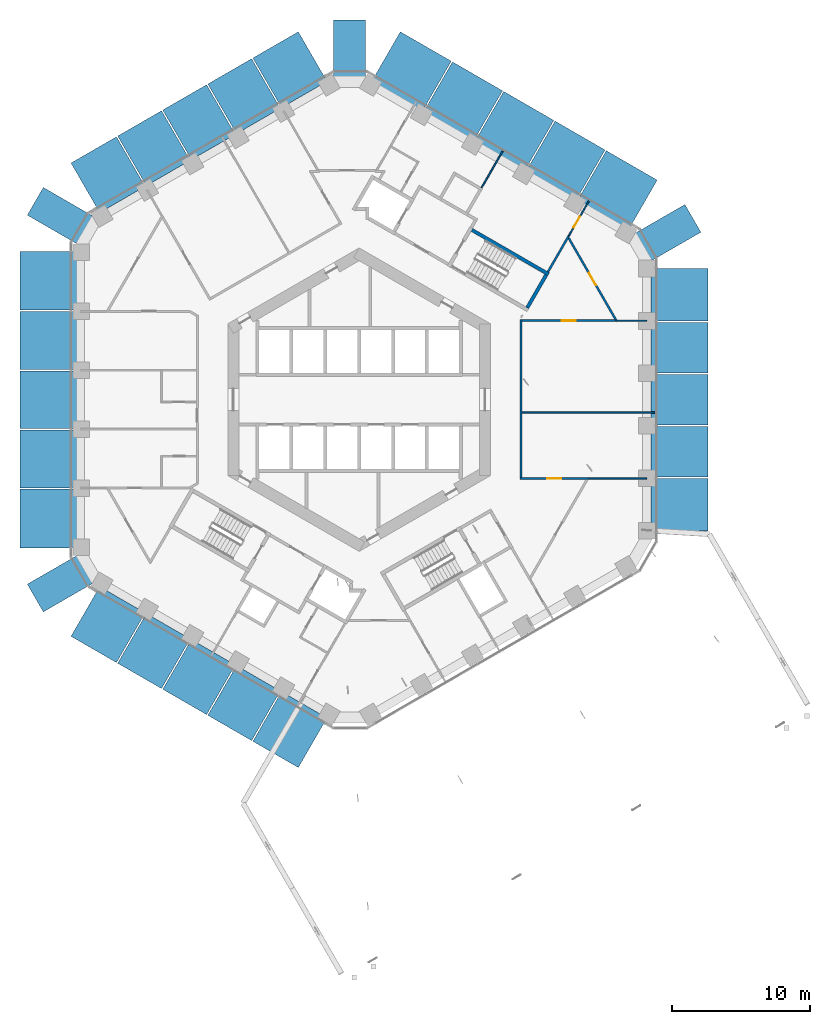
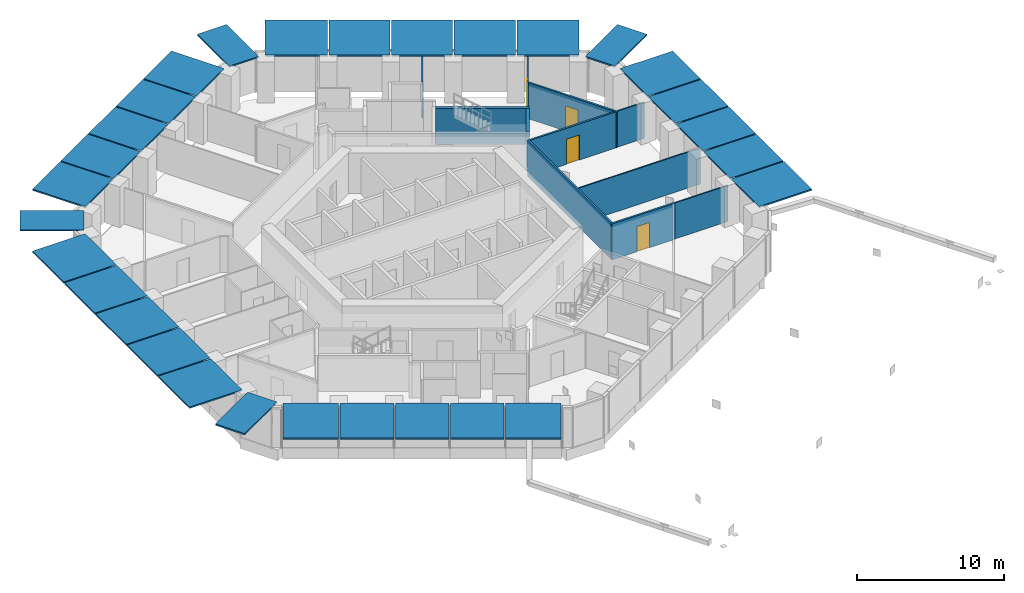
# One storey, part 15 of 22: 29 discrete accessories, 12 walls, 4 doors, 4 openings.
"""IFC4 building model written with IfcOpenShell, lengths in metres."""

from ifc_helpers import new_model, si_unit, direction, frame, frame_2d, origin, origin_2d, place, context, subcontext, project, spatial, rectangle, extrude, material, layer, layer_set, type_object, element, fill, save


model = new_model("IFC4")

# Units and contexts
model_context = context("Model", 3, precision=1e-05, world=origin(), true_north=direction((0.0, 1.0)))
body_context = subcontext(model_context, "Body", "Model", "MODEL_VIEW")
ifc_project = project(units=[si_unit("LENGTHUNIT", "METRE"), si_unit("AREAUNIT", "SQUARE_METRE"), si_unit("VOLUMEUNIT", "CUBIC_METRE"), si_unit("PLANEANGLEUNIT", "RADIAN"), si_unit("MASSUNIT", "GRAM", prefix="KILO")], contexts=[model_context])

# Site, building, storey
site_placement = place(None, origin())
site = spatial("IfcSite", under=ifc_project, at=site_placement, CompositionType="ELEMENT")
building_placement = place(site_placement, origin())
building = spatial("IfcBuilding", under=site, at=building_placement, Name="Ayvan Gate Tower", CompositionType="ELEMENT")
storey_placement = place(building_placement, frame((0.0, 0.0, 62.89990234375)))
storey = spatial("IfcBuildingStorey", under=building, at=storey_placement, Name="L16", CompositionType="ELEMENT", Elevation=62.89990234375)

# Wall, opening, door
ifc_material_1 = material(Name="Plasterboard on steel stud", Category="steel")
ifc_layer_1 = layer(ifc_material_1, 0.14990234375)
ifc_layer_set_1 = layer_set([ifc_layer_1], Name="Plasterboard on steel stud")
wall_type_1 = type_object("IfcWallType", Name="WT-CORR-150", PredefinedType="PARTITIONING", material=ifc_layer_set_1)
wall_1_placement = place(storey_placement, frame((11.625, -5.70849609375, 0.0), z_axis=(0.0, 0.0, 1.0), x_axis=(1.0, 0.0, 0.0)))
wall_1 = element("IfcWall", 1, at=wall_1_placement, inside=storey, type_object=wall_type_1, Name="IW-L16-111", PredefinedType="PARTITIONING", context=body_context, shape_type="SweptSolid", body=[
    extrude(rectangle(XDim=4.9677734375, YDim=0.14990234375, at=frame_2d((2.48388671875, 0.0))), origin(), (0.0, 0.0, 1.0), 3.0),
])
opening_1_placement = place(wall_1_placement, frame((1.966552734375, 0.0, 0.0)))
opening_1 = element("IfcOpeningElement", 2, at=opening_1_placement, cuts=wall_1, Name="Opening L16-D17", PredefinedType="OPENING", context=body_context, shape_type="SweptSolid", body=[
    extrude(rectangle(XDim=1.0, YDim=2.10009765625, at=frame_2d((0.5, 1.050048828125))), frame((0.0, 0.0849609375, 0.0), z_axis=(0.0, -1.0, 0.0), x_axis=(1.0, 0.0, 0.0)), (0.0, 0.0, 1.0), 0.169921875),
])
ifc_material_2 = material(Name="Timber door leaf", Category="wood")
door_type_1 = type_object("IfcDoorType", Name="DT-1000", OperationType="NOTDEFINED", PredefinedType="DOOR", material=ifc_material_2)
door_1_placement = place(opening_1_placement, origin())
door_1 = element("IfcDoor", 3, at=door_1_placement, inside=storey, type_object=door_type_1, Name="ID-L16-017", OperationType="SINGLE_SWING_LEFT", OverallHeight=2.10009765625, OverallWidth=1.0, PredefinedType="DOOR", context=body_context, shape_type="SweptSolid", body=[
    extrude(rectangle(XDim=1.0, YDim=2.10009765625, at=frame_2d((0.5, 1.050048828125))), frame((0.0, 0.02490234375, 0.0), z_axis=(0.0, -1.0, 0.0), x_axis=(1.0, 0.0, 0.0)), (0.0, 0.0, 1.0), 0.050048828125),
])
fill(opening_1, door_1)

# Walls
wall_2_placement = place(storey_placement, frame((11.699951171875, -5.633544921875, 0.0), z_axis=(0.0, 0.0, 1.0), x_axis=(0.0, 1.0, 0.0)))
element("IfcWall", 4, at=wall_2_placement, inside=storey, type_object=wall_type_1, Name="IW-L16-112", PredefinedType="PARTITIONING", context=body_context, shape_type="SweptSolid", body=[
    extrude(rectangle(XDim=11.4169921875, YDim=0.14990234375, at=frame_2d((5.70849609375, 0.0))), origin(), (0.0, 0.0, 1.0), 3.0),
])
wall_3_placement = place(storey_placement, frame((13.647705078125, 9.23876953125, 0.0), z_axis=(0.0, 0.0, 1.0), x_axis=(0.500026865748, 0.866009892282, 0.0)))
element("IfcWall", 5, at=wall_3_placement, inside=storey, type_object=wall_type_1, Name="IW-L16-116", PredefinedType="PARTITIONING", context=body_context, shape_type="SweptSolid", body=[
    extrude(rectangle(XDim=2.985107421875, YDim=0.14990234375, at=frame_2d((1.49267578125, 0.0))), origin(), (0.0, 0.0, 1.0), 3.0),
])

# Wall, opening, door
wall_4_placement = place(storey_placement, frame((15.140380859375, 11.694091796875, 0.0), z_axis=(0.0, 0.0, 1.0), x_axis=(0.500013845068, -0.866017410183, 0.0)))
wall_4 = element("IfcWall", 6, at=wall_4_placement, inside=storey, type_object=wall_type_1, Name="IW-L16-120", PredefinedType="PARTITIONING", context=body_context, shape_type="SweptSolid", body=[
    extrude(rectangle(XDim=6.986572265625, YDim=0.14990234375, at=frame_2d((3.4931640625, 0.0))), origin(), (0.0, 0.0, 1.0), 3.0),
])
opening_2_placement = place(wall_4_placement, frame((2.9384765625, 0.0, 0.0)))
opening_2 = element("IfcOpeningElement", 7, at=opening_2_placement, cuts=wall_4, Name="Opening L16-D19", PredefinedType="OPENING", context=body_context, shape_type="SweptSolid", body=[
    extrude(rectangle(XDim=1.0, YDim=2.10009765625, at=frame_2d((0.5, 1.050048828125))), frame((0.0, 0.0849609375, 0.0), z_axis=(0.0, -1.0, 0.0), x_axis=(1.0, 0.0, 0.0)), (0.0, 0.0, 1.0), 0.169921875),
])
door_2_placement = place(opening_2_placement, origin())
door_2 = element("IfcDoor", 8, at=door_2_placement, inside=storey, type_object=door_type_1, Name="ID-L16-019", OperationType="SINGLE_SWING_LEFT", OverallHeight=2.10009765625, OverallWidth=1.0, PredefinedType="DOOR", context=body_context, shape_type="SweptSolid", body=[
    extrude(rectangle(XDim=1.0, YDim=2.10009765625, at=frame_2d((0.5, 1.050048828125))), frame((0.0, 0.02490234375, 0.0), z_axis=(0.0, -1.0, 0.0), x_axis=(1.0, 0.0, 0.0)), (0.0, 0.0, 1.0), 0.050048828125),
])
fill(opening_2, door_2)

wall_5_placement = place(storey_placement, frame((18.521240234375, 5.70849609375, 0.0), z_axis=(0.0, 0.0, 1.0), x_axis=(-1.0, 0.0, 0.0)))
wall_5 = element("IfcWall", 9, at=wall_5_placement, inside=storey, type_object=wall_type_1, Name="IW-L16-123", PredefinedType="PARTITIONING", context=body_context, shape_type="SweptSolid", body=[
    extrude(rectangle(XDim=6.746337890625, YDim=0.14990234375, at=frame_2d((3.373046875, 0.0))), origin(), (0.0, 0.0, 1.0), 3.0),
])
opening_3_placement = place(wall_5_placement, frame((2.873046875, 0.0, 0.0)))
opening_3 = element("IfcOpeningElement", 10, at=opening_3_placement, cuts=wall_5, Name="Opening L16-D18", PredefinedType="OPENING", context=body_context, shape_type="SweptSolid", body=[
    extrude(rectangle(XDim=1.0, YDim=2.10009765625, at=frame_2d((0.5, 1.050048828125))), frame((0.0, 0.0849609375, 0.0), z_axis=(0.0, -1.0, 0.0), x_axis=(1.0, 0.0, 0.0)), (0.0, 0.0, 1.0), 0.169921875),
])
door_3_placement = place(opening_3_placement, origin())
door_3 = element("IfcDoor", 11, at=door_3_placement, inside=storey, type_object=door_type_1, Name="ID-L16-018", OperationType="SINGLE_SWING_RIGHT", OverallHeight=2.10009765625, OverallWidth=1.0, PredefinedType="DOOR", context=body_context, shape_type="SweptSolid", body=[
    extrude(rectangle(XDim=1.0, YDim=2.10009765625, at=frame_2d((0.5, 1.050048828125))), frame((0.0, 0.02490234375, 0.0), z_axis=(0.0, -1.0, 0.0), x_axis=(1.0, 0.0, 0.0)), (0.0, 0.0, 1.0), 0.050048828125),
])
fill(opening_3, door_3)

# Walls
ifc_layer_2 = layer(ifc_material_1, 0.10009765625)
ifc_layer_set_2 = layer_set([ifc_layer_2], Name="Plasterboard on steel stud")
wall_type_2 = type_object("IfcWallType", Name="WT-PART-100", PredefinedType="PARTITIONING", material=ifc_layer_set_2)
wall_6_placement = place(storey_placement, frame((8.85009765625, 15.32861328125, 0.0), z_axis=(0.0, 0.0, 1.0), x_axis=(0.500015609314, 0.866016391555, 0.0)))
element("IfcWall", 12, at=wall_6_placement, inside=storey, type_object=wall_type_2, Name="IW-L16-104", PredefinedType="PARTITIONING", context=body_context, shape_type="SweptSolid", body=[
    extrude(rectangle(XDim=3.02783203125, YDim=0.10009765625, at=frame_2d((1.513916015625, 0.0))), origin(), (0.0, 0.0, 1.0), 3.0),
])
wall_7_placement = place(storey_placement, frame((11.77490234375, -0.913330078125, 0.0), z_axis=(0.0, 0.0, 1.0), x_axis=(1.0, 0.0, 0.0)))
element("IfcWall", 13, at=wall_7_placement, inside=storey, type_object=wall_type_2, Name="IW-L16-113", PredefinedType="PARTITIONING", context=body_context, shape_type="SweptSolid", body=[
    extrude(rectangle(XDim=9.605712890625, YDim=0.10009765625, at=frame_2d((4.802734375, 0.0))), origin(), (0.0, 0.0, 1.0), 3.0),
])

# Wall, opening, door
wall_8_placement = place(storey_placement, frame((15.140380859375, 11.823974609375, 0.0), z_axis=(0.0, 0.0, 1.0), x_axis=(0.500026652407, 0.866010015463, 0.0)))
wall_8 = element("IfcWall", 14, at=wall_8_placement, inside=storey, type_object=wall_type_2, Name="IW-L16-119", PredefinedType="PARTITIONING", context=body_context, shape_type="SweptSolid", body=[
    extrude(rectangle(XDim=2.917724609375, YDim=0.10009765625, at=frame_2d((1.458984375, 0.0))), origin(), (0.0, 0.0, 1.0), 3.0),
])
opening_4_placement = place(wall_8_placement, frame((0.7109375, 0.0, 0.0)))
opening_4 = element("IfcOpeningElement", 15, at=opening_4_placement, cuts=wall_8, Name="Opening L16-D20", PredefinedType="OPENING", context=body_context, shape_type="SweptSolid", body=[
    extrude(rectangle(XDim=0.89990234375, YDim=2.10009765625, at=frame_2d((0.449951171875, 1.050048828125))), frame((0.0, 0.06005859375, 0.0), z_axis=(0.0, -1.0, 0.0), x_axis=(1.0, 0.0, 0.0)), (0.0, 0.0, 1.0), 0.1201171875),
])
door_type_2 = type_object("IfcDoorType", Name="DT-900", OperationType="NOTDEFINED", PredefinedType="DOOR", material=ifc_material_2)
door_4_placement = place(opening_4_placement, origin())
door_4 = element("IfcDoor", 16, at=door_4_placement, inside=storey, type_object=door_type_2, Name="ID-L16-020", OperationType="SINGLE_SWING_RIGHT", OverallHeight=2.10009765625, OverallWidth=0.89990234375, PredefinedType="DOOR", context=body_context, shape_type="SweptSolid", body=[
    extrude(rectangle(XDim=0.89990234375, YDim=2.10009765625, at=frame_2d((0.449951171875, 1.050048828125))), frame((0.0, 0.02490234375, 0.0), z_axis=(0.0, -1.0, 0.0), x_axis=(1.0, 0.0, 0.0)), (0.0, 0.0, 1.0), 0.050048828125),
])
fill(opening_4, door_4)

# Walls
wall_9_placement = place(storey_placement, frame((18.6708984375, 5.70849609375, 0.0), z_axis=(0.0, 0.0, 1.0), x_axis=(1.0, 0.0, 0.0)))
element("IfcWall", 17, at=wall_9_placement, inside=storey, type_object=wall_type_2, Name="IW-L16-122", PredefinedType="PARTITIONING", context=body_context, shape_type="SweptSolid", body=[
    extrude(rectangle(XDim=2.11376953125, YDim=0.10009765625, at=frame_2d((1.056884765625, 0.0))), origin(), (0.0, 0.0, 1.0), 3.0),
])
wall_10_placement = place(storey_placement, frame((20.78466796875, -5.70849609375, 0.0), z_axis=(0.0, 0.0, 1.0), x_axis=(-1.0, 0.0, 0.0)))
element("IfcWall", 18, at=wall_10_placement, inside=storey, type_object=wall_type_2, Name="IW-L16-124", PredefinedType="PARTITIONING", context=body_context, shape_type="SweptSolid", body=[
    extrude(rectangle(XDim=4.19189453125, YDim=0.10009765625, at=frame_2d((2.095947265625, 0.0))), origin(), (0.0, 0.0, 1.0), 3.0),
])
ifc_material_3 = material(Name="Concrete C50/60", Category="concrete")
ifc_layer_3 = layer(ifc_material_3, 0.25)
ifc_layer_set_3 = layer_set([ifc_layer_3], Name="Concrete C50/60")
wall_type_3 = type_object("IfcWallType", Name="WT-RC-250", PredefinedType="SHEAR", material=ifc_layer_set_3)
wall_11_placement = place(storey_placement, frame((8.151123046875, 12.26806640625, 0.0), z_axis=(0.0, 0.0, 1.0), x_axis=(0.866025499775, -0.499999833739, 0.0)))
element("IfcWall", 19, at=wall_11_placement, inside=storey, type_object=wall_type_3, Name="IW-L16-099", PredefinedType="SHEAR", context=body_context, shape_type="SweptSolid", body=[
    extrude(rectangle(XDim=6.39990234375, YDim=0.25, at=frame_2d((3.199951171875, 0.0))), origin(), (0.0, 0.0, 1.0), 3.0),
])
wall_12_placement = place(storey_placement, frame((13.52294921875, 9.022216796875, 0.0), z_axis=(0.0, 0.0, 1.0), x_axis=(-0.500034990121, -0.866005201286, 0.0)))
element("IfcWall", 20, at=wall_12_placement, inside=storey, type_object=wall_type_3, Name="IW-L16-117", PredefinedType="SHEAR", context=body_context, shape_type="SweptSolid", body=[
    extrude(rectangle(XDim=2.749755859375, YDim=0.25, at=frame_2d((1.375, 0.0))), origin(), (0.0, 0.0, 1.0), 3.0),
])

# Discrete accessories
ifc_material_4 = material(Name="Stainless steel 316", Category="steel")
ifc_layer_4 = layer(ifc_material_4, 0.1201171875)
ifc_layer_set_4 = layer_set([ifc_layer_4], Name="Stainless steel 316")
discrete_accessory_type = type_object("IfcDiscreteAccessoryType", Name="Fin carrier bracket", PredefinedType="BRACKET", material=ifc_layer_set_4)
discrete_accessory_1_placement = place(storey_placement, frame((-22.446533203125, -8.595458984375, 3.280029296875), z_axis=(0.0, 0.0, 1.0), x_axis=(0.0, -1.0, 0.0)))
element("IfcDiscreteAccessory", 21, at=discrete_accessory_1_placement, inside=storey, type_object=discrete_accessory_type, Name="Fin carrier 14", PredefinedType="BRACKET", context=body_context, shape_type="SweptSolid", body=[
    extrude(rectangle(XDim=4.25146484375, YDim=4.148193359375, at=origin_2d()), origin(), (0.0, 0.0, 1.0), 0.1201171875),
])
for number, where, z_axis, x_axis, name in (
    (22, (-22.446533203125, -4.27978515625, 3.280029296875), (0.0, 0.0, 1.0), (0.0, -1.0, 0.0), "Fin carrier 16"),
    (23, (-22.446533203125, 0.000244140625, 3.280029296875), (0.0, 0.0, 1.0), (0.0, -1.0, 0.0), "Fin carrier 22"),
):
    element("IfcDiscreteAccessory", number, at=place(storey_placement, frame(where, z_axis=z_axis, x_axis=x_axis)), inside=storey, type_object=discrete_accessory_type, Name=name, PredefinedType="BRACKET", context=body_context, shape_type="SweptSolid", body=[
        extrude(rectangle(XDim=4.179931640625, YDim=4.148193359375, at=origin_2d()), origin(), (0.0, 0.0, 1.0), 0.1201171875),
    ])
discrete_accessory_2_placement = place(storey_placement, frame((-22.446533203125, 4.27978515625, 3.280029296875), z_axis=(0.0, 0.0, 1.0), x_axis=(0.0, -1.0, 0.0)))
element("IfcDiscreteAccessory", 24, at=discrete_accessory_2_placement, inside=storey, type_object=discrete_accessory_type, Name="Fin carrier 26", PredefinedType="BRACKET", context=body_context, shape_type="SweptSolid", body=[
    extrude(rectangle(XDim=4.178955078125, YDim=4.148193359375, at=origin_2d()), origin(), (0.0, 0.0, 1.0), 0.1201171875),
])
discrete_accessory_3_placement = place(storey_placement, frame((-22.446533203125, 8.59521484375, 3.280029296875), z_axis=(0.0, 0.0, 1.0), x_axis=(0.0, -1.0, 0.0)))
element("IfcDiscreteAccessory", 25, at=discrete_accessory_3_placement, inside=storey, type_object=discrete_accessory_type, Name="Fin carrier 30", PredefinedType="BRACKET", context=body_context, shape_type="SweptSolid", body=[
    extrude(rectangle(XDim=4.251953125, YDim=4.148193359375, at=origin_2d()), origin(), (0.0, 0.0, 1.0), 0.1201171875),
])
for number, where, z_axis, x_axis, name in (
    (26, (-21.5185546875, -13.24609375, 3.280029296875), (0.0, 0.0, 1.0), (0.5, -0.866025403784, 0.0), "Fin carrier 39"),
    (27, (-21.5185546875, 13.24609375, 3.280029296875), (0.0, 0.0, 1.0), (-0.5, -0.866025403784, 0.0), "Fin carrier 56"),
):
    element("IfcDiscreteAccessory", number, at=place(storey_placement, frame(where, z_axis=z_axis, x_axis=x_axis)), inside=storey, type_object=discrete_accessory_type, Name=name, PredefinedType="BRACKET", context=body_context, shape_type="SweptSolid", body=[
        extrude(rectangle(XDim=2.314453125, YDim=4.37939453125, at=origin_2d()), origin(), (0.0, 0.0, 1.0), 0.1201171875),
    ])
discrete_accessory_4_placement = place(storey_placement, frame((-18.15283203125, -16.260986328125, 3.280029296875), z_axis=(0.0, 0.0, 1.0), x_axis=(0.866025403784, -0.5, 0.0)))
element("IfcDiscreteAccessory", 28, at=discrete_accessory_4_placement, inside=storey, type_object=discrete_accessory_type, Name="Fin carrier 132", PredefinedType="BRACKET", context=body_context, shape_type="SweptSolid", body=[
    extrude(rectangle(XDim=3.794921875, YDim=4.148193359375, at=origin_2d()), origin(), (0.0, 0.0, 1.0), 0.1201171875),
])
discrete_accessory_5_placement = place(storey_placement, frame((-18.15283203125, 16.2607421875, 3.280029296875), z_axis=(0.0, 0.0, 1.0), x_axis=(-0.866025403784, -0.5, 0.0)))
element("IfcDiscreteAccessory", 29, at=discrete_accessory_5_placement, inside=storey, type_object=discrete_accessory_type, Name="Fin carrier 147", PredefinedType="BRACKET", context=body_context, shape_type="SweptSolid", body=[
    extrude(rectangle(XDim=3.79443359375, YDim=4.148193359375, at=origin_2d()), origin(), (0.0, 0.0, 1.0), 0.1201171875),
])
for number, where, z_axis, x_axis, name in (
    (30, (-14.837158203125, -18.175048828125, 3.280029296875), (0.0, 0.0, 1.0), (0.866025403784, -0.5, 0.0), "Fin carrier 257"),
    (31, (-14.837646484375, 18.175048828125, 3.280029296875), (0.0, 0.0, 1.0), (-0.866025403784, -0.5, 0.0), "Fin carrier 263"),
    (32, (-11.5791015625, -20.05615234375, 3.280029296875), (0.0, 0.0, 1.0), (0.866025403784, -0.5, 0.0), "Fin carrier 319"),
    (33, (-11.57958984375, 20.055908203125, 3.280029296875), (0.0, 0.0, 1.0), (-0.866025403784, -0.5, 0.0), "Fin carrier 325"),
    (34, (-8.3212890625, -21.937255859375, 3.280029296875), (0.0, 0.0, 1.0), (0.866025403784, -0.5, 0.0), "Fin carrier 380"),
    (35, (-8.321533203125, 21.93701171875, 3.280029296875), (0.0, 0.0, 1.0), (-0.866025403784, -0.5, 0.0), "Fin carrier 385"),
):
    element("IfcDiscreteAccessory", number, at=place(storey_placement, frame(where, z_axis=z_axis, x_axis=x_axis)), inside=storey, type_object=discrete_accessory_type, Name=name, PredefinedType="BRACKET", context=body_context, shape_type="SweptSolid", body=[
        extrude(rectangle(XDim=3.662109375, YDim=4.148193359375, at=origin_2d()), origin(), (0.0, 0.0, 1.0), 0.1201171875),
    ])
discrete_accessory_6_placement = place(storey_placement, frame((-5.005859375, -23.851318359375, 3.280029296875), z_axis=(0.0, 0.0, 1.0), x_axis=(0.866025403784, -0.5, 0.0)))
element("IfcDiscreteAccessory", 36, at=discrete_accessory_6_placement, inside=storey, type_object=discrete_accessory_type, Name="Fin carrier 445", PredefinedType="BRACKET", context=body_context, shape_type="SweptSolid", body=[
    extrude(rectangle(XDim=3.79443359375, YDim=4.148193359375, at=origin_2d()), origin(), (0.0, 0.0, 1.0), 0.1201171875),
])
discrete_accessory_7_placement = place(storey_placement, frame((-5.006103515625, 23.85107421875, 3.280029296875), z_axis=(0.0, 0.0, 1.0), x_axis=(-0.866025403784, -0.5, 0.0)))
element("IfcDiscreteAccessory", 37, at=discrete_accessory_7_placement, inside=storey, type_object=discrete_accessory_type, Name="Fin carrier 462", PredefinedType="BRACKET", context=body_context, shape_type="SweptSolid", body=[
    extrude(rectangle(XDim=3.794921875, YDim=4.148193359375, at=origin_2d()), origin(), (0.0, 0.0, 1.0), 0.1201171875),
])
discrete_accessory_8_placement = place(storey_placement, frame((-0.712158203125, 25.258544921875, 3.280029296875), z_axis=(0.0, 0.0, 1.0), x_axis=(-1.0, 0.0, 0.0)))
element("IfcDiscreteAccessory", 38, at=discrete_accessory_8_placement, inside=storey, type_object=discrete_accessory_type, Name="Fin carrier 522", PredefinedType="BRACKET", context=body_context, shape_type="SweptSolid", body=[
    extrude(rectangle(XDim=2.314453125, YDim=4.37939453125, at=origin_2d()), origin(), (0.0, 0.0, 1.0), 0.1201171875),
])
discrete_accessory_9_placement = place(storey_placement, frame((3.779296875, 23.737060546875, 3.280029296875), z_axis=(0.0, 0.0, 1.0), x_axis=(-0.866025403784, 0.5, 0.0)))
element("IfcDiscreteAccessory", 39, at=discrete_accessory_9_placement, inside=storey, type_object=discrete_accessory_type, Name="Fin carrier 588", PredefinedType="BRACKET", context=body_context, shape_type="SweptSolid", body=[
    extrude(rectangle(XDim=4.25146484375, YDim=4.148193359375, at=origin_2d()), origin(), (0.0, 0.0, 1.0), 0.1201171875),
])
for number, where, z_axis, x_axis, name in (
    (40, (7.516845703125, 21.5791015625, 3.280029296875), (0.0, 0.0, 1.0), (-0.866025403784, 0.5, 0.0), "Fin carrier 649"),
    (41, (11.2236328125, 19.439208984375, 3.280029296875), (0.0, 0.0, 1.0), (-0.866025403784, 0.5, 0.0), "Fin carrier 716"),
):
    element("IfcDiscreteAccessory", number, at=place(storey_placement, frame(where, z_axis=z_axis, x_axis=x_axis)), inside=storey, type_object=discrete_accessory_type, Name=name, PredefinedType="BRACKET", context=body_context, shape_type="SweptSolid", body=[
        extrude(rectangle(XDim=4.179931640625, YDim=4.148193359375, at=origin_2d()), origin(), (0.0, 0.0, 1.0), 0.1201171875),
    ])
discrete_accessory_10_placement = place(storey_placement, frame((14.9296875, 17.29931640625, 3.280029296875), z_axis=(0.0, 0.0, 1.0), x_axis=(-0.866025403784, 0.5, 0.0)))
element("IfcDiscreteAccessory", 42, at=discrete_accessory_10_placement, inside=storey, type_object=discrete_accessory_type, Name="Fin carrier 776", PredefinedType="BRACKET", context=body_context, shape_type="SweptSolid", body=[
    extrude(rectangle(XDim=4.178955078125, YDim=4.148193359375, at=origin_2d()), origin(), (0.0, 0.0, 1.0), 0.1201171875),
])
discrete_accessory_11_placement = place(storey_placement, frame((18.6669921875, 15.1416015625, 3.280029296875), z_axis=(0.0, 0.0, 1.0), x_axis=(-0.866025403784, 0.5, 0.0)))
element("IfcDiscreteAccessory", 43, at=discrete_accessory_11_placement, inside=storey, type_object=discrete_accessory_type, Name="Fin carrier 906", PredefinedType="BRACKET", context=body_context, shape_type="SweptSolid", body=[
    extrude(rectangle(XDim=4.251953125, YDim=4.148193359375, at=origin_2d()), origin(), (0.0, 0.0, 1.0), 0.1201171875),
])
discrete_accessory_12_placement = place(storey_placement, frame((22.230712890625, 12.012451171875, 3.280029296875), z_axis=(0.0, 0.0, 1.0), x_axis=(-0.5, 0.866025403784, 0.0)))
element("IfcDiscreteAccessory", 44, at=discrete_accessory_12_placement, inside=storey, type_object=discrete_accessory_type, Name="Fin carrier 993", PredefinedType="BRACKET", context=body_context, shape_type="SweptSolid", body=[
    extrude(rectangle(XDim=2.314453125, YDim=4.37939453125, at=origin_2d()), origin(), (0.0, 0.0, 1.0), 0.1201171875),
])
discrete_accessory_13_placement = place(storey_placement, frame((23.15869140625, -7.59033203125, 3.280029296875), z_axis=(0.0, 0.0, 1.0), x_axis=(0.0, 1.0, 0.0)))
element("IfcDiscreteAccessory", 45, at=discrete_accessory_13_placement, inside=storey, type_object=discrete_accessory_type, Name="Fin carrier 1003", PredefinedType="BRACKET", context=body_context, shape_type="SweptSolid", body=[
    extrude(rectangle(XDim=3.794921875, YDim=4.148193359375, at=origin_2d()), origin(), (0.0, 0.0, 1.0), 0.1201171875),
])
for number, where, z_axis, x_axis, name in (
    (46, (23.15869140625, -3.76171875, 3.280029296875), (0.0, 0.0, 1.0), (0.0, 1.0, 0.0), "Fin carrier 1009"),
    (47, (23.15869140625, 0.000244140625, 3.280029296875), (0.0, 0.0, 1.0), (0.0, 1.0, 0.0), "Fin carrier 1015"),
    (48, (23.15869140625, 3.76220703125, 3.280029296875), (0.0, 0.0, 1.0), (0.0, 1.0, 0.0), "Fin carrier 1022"),
):
    element("IfcDiscreteAccessory", number, at=place(storey_placement, frame(where, z_axis=z_axis, x_axis=x_axis)), inside=storey, type_object=discrete_accessory_type, Name=name, PredefinedType="BRACKET", context=body_context, shape_type="SweptSolid", body=[
        extrude(rectangle(XDim=3.662109375, YDim=4.148193359375, at=origin_2d()), origin(), (0.0, 0.0, 1.0), 0.1201171875),
    ])
discrete_accessory_14_placement = place(storey_placement, frame((23.15869140625, 7.590576171875, 3.280029296875), z_axis=(0.0, 0.0, 1.0), x_axis=(0.0, 1.0, 0.0)))
element("IfcDiscreteAccessory", 49, at=discrete_accessory_14_placement, inside=storey, type_object=discrete_accessory_type, Name="Fin carrier 1023", PredefinedType="BRACKET", context=body_context, shape_type="SweptSolid", body=[
    extrude(rectangle(XDim=3.79443359375, YDim=4.148193359375, at=origin_2d()), origin(), (0.0, 0.0, 1.0), 0.1201171875),
])

save(model, "model.ifc")
